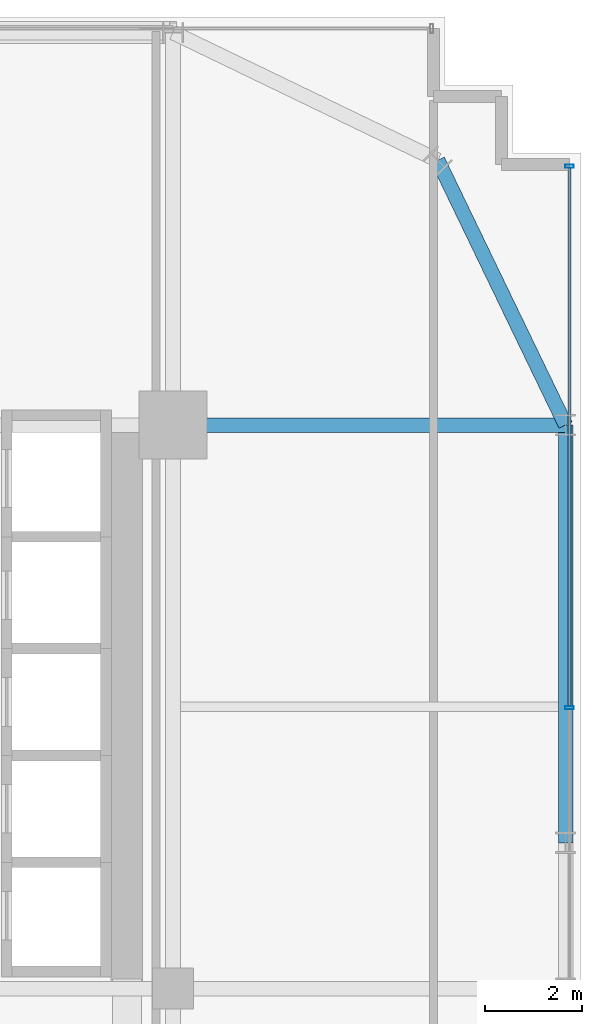
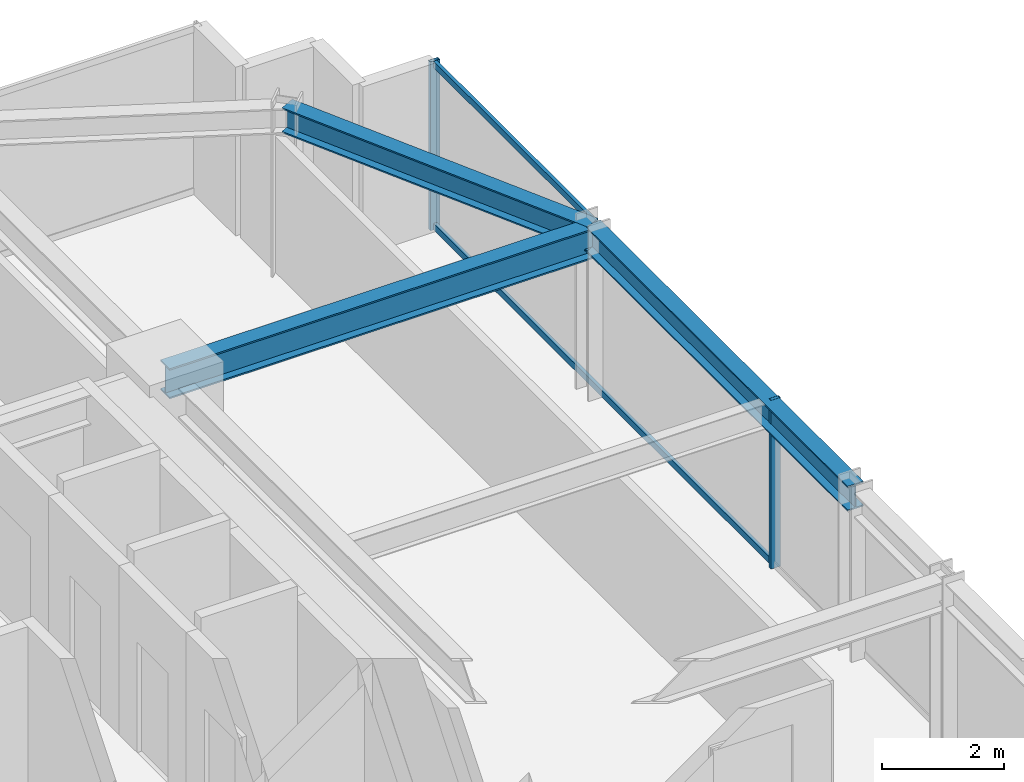
# One storey, part 25 of 36: 4 members, 3 beams, 1 element without a shape of its own.
"""IFC4 building model written with IfcOpenShell, lengths in metres."""

from ifc_helpers import new_model, si_unit, direction, frame, origin, origin_2d, place, context, subcontext, project, spatial, hollow_rectangle, i_section, extrude, source, transform, mapped, material, material_profile, profile_set, type_object, element, aggregate, save


model = new_model("IFC4")

# Units and contexts
model_context = context("Model", 3, precision=1e-05, world=origin(), true_north=direction((0.0, 1.0)))
body_context = subcontext(model_context, "Body", "Model", "MODEL_VIEW")
ifc_project = project(units=[si_unit("LENGTHUNIT", "METRE"), si_unit("AREAUNIT", "SQUARE_METRE"), si_unit("VOLUMEUNIT", "CUBIC_METRE"), si_unit("PLANEANGLEUNIT", "RADIAN"), si_unit("MASSUNIT", "GRAM", prefix="KILO")], contexts=[model_context])

# Site, building, storey
site_placement = place(None, origin())
site = spatial("IfcSite", under=ifc_project, at=site_placement, CompositionType="ELEMENT")
building_placement = place(site_placement, origin())
building = spatial("IfcBuilding", under=site, at=building_placement, Name="Nahalor Promenade Grand Hotel", CompositionType="ELEMENT")
storey_placement = place(building_placement, frame((0.0, 0.0, 76.199951171875)))
storey = spatial("IfcBuildingStorey", under=building, at=storey_placement, Name="L18", CompositionType="ELEMENT", Elevation=76.199951171875)

# Beams
ifc_material_1 = material(Name="Steel S355JR", Category="steel")
ifc_material_profile_1 = material_profile(ifc_material_1, i_section(OverallWidth=0.3, OverallDepth=0.5, WebThickness=0.0145, FlangeThickness=0.028, at=origin_2d()), Name="HEB 500")
ifc_profile_set_1 = profile_set([ifc_material_profile_1], Name="Steel S355JR")
beam_type_1 = type_object("IfcBeamType", Name="Beam-Spandrel-HEB500", PredefinedType="SPANDREL", material=ifc_profile_set_1)
shared_shape_1 = source(origin(), body_context, "Body", "SweptSolid", [
    extrude(i_section(OverallWidth=0.3, OverallDepth=0.5, WebThickness=0.0145, FlangeThickness=0.028, at=origin_2d()), origin(), (0.0, 0.0, 1.0), 8.60009765625),
])
beam_1_placement = place(storey_placement, frame((25.080078125, 8.39990234375, 3.1201171875), z_axis=(0.0, 1.0, 0.0), x_axis=(-1.0, 0.0, 0.0)))
element("IfcBeam", 1, at=beam_1_placement, inside=storey, type_object=beam_type_1, Name="BM-L18-SP-E-4", PredefinedType="SPANDREL", context=body_context, shape_type="MappedRepresentation", body=[
    mapped(shared_shape_1, transform((0.0, 0.0, 0.0), scale=1.0)),
])
ifc_material_profile_2 = material_profile(ifc_material_1, i_section(OverallWidth=0.3, OverallDepth=0.6, WebThickness=0.0155, FlangeThickness=0.03, at=origin_2d()), Name="HEB 600")
ifc_profile_set_2 = profile_set([ifc_material_profile_2], Name="Steel S355JR")
beam_type_2 = type_object("IfcBeamType", Name="Beam-Girder-HEB600", PredefinedType="BEAM", material=ifc_profile_set_2)
shared_shape_2 = source(origin(), body_context, "Body", "SweptSolid", [
    extrude(i_section(OverallWidth=0.3, OverallDepth=0.6, WebThickness=0.0155, FlangeThickness=0.03, at=origin_2d()), origin(), (0.0, 0.0, 1.0), 8.080078125),
])
beam_2_placement = place(storey_placement, frame((17.0, 17.0, 3.070068359375), z_axis=(1.0, 0.0, 0.0), x_axis=(0.0, 1.0, 0.0)))
element("IfcBeam", 2, at=beam_2_placement, inside=storey, type_object=beam_type_2, Name="BM-L18-GX-3-6", PredefinedType="BEAM", context=body_context, shape_type="MappedRepresentation", body=[
    mapped(shared_shape_2, transform((0.0, 0.0, 0.0), scale=1.0)),
])
shared_shape_3 = source(origin(), body_context, "Body", "SweptSolid", [
    extrude(i_section(OverallWidth=0.3, OverallDepth=0.5, WebThickness=0.0145, FlangeThickness=0.028, at=origin_2d()), origin(), (0.0, 0.0, 1.0), 6.051513671875),
])
beam_3_placement = place(storey_placement, frame((22.449951171875, 22.449951171875, 3.1201171875), z_axis=(0.434630596492, -0.900608818852, 0.0), x_axis=(0.900608818852, 0.434630596492, 0.0)))
element("IfcBeam", 3, at=beam_3_placement, inside=storey, type_object=beam_type_1, Name="BM-L18-SPC-NE-2", PredefinedType="SPANDREL", context=body_context, shape_type="MappedRepresentation", body=[
    mapped(shared_shape_3, transform((0.0, 0.0, 0.0), scale=1.0)),
])

# Curtain wall, members
ifc_material_2 = material(Name="Anodised Bronze Aluminium EN AW-6063 T6", Category="aluminium")
curtain_wall_type = type_object("IfcCurtainWallType", Name="CW2 Typical Hotel Flush Bronze Unitised Curtain Wall", PredefinedType="USERDEFINED", material=ifc_material_2)
curtain_wall_placement = place(storey_placement, origin())
curtain_wall = element("IfcCurtainWall", 4, at=curtain_wall_placement, inside=storey, type_object=curtain_wall_type, Name="L18 Curtain Wall CW-L18-E-1", ObjectType="UNITISED_CURTAIN_WALL", PredefinedType="USERDEFINED")
ifc_material_profile_3 = material_profile(ifc_material_2, hollow_rectangle(XDim=0.065, YDim=0.18, WallThickness=0.004, at=origin_2d()), Name="CWM 65x180x4")
ifc_profile_set_3 = profile_set([ifc_material_profile_3], Name="Anodised Bronze Aluminium EN AW-6063 T6")
member_type_1 = type_object("IfcMemberType", Name="CWM2 Typical Bronze Mullion 65x180", PredefinedType="MULLION", material=ifc_profile_set_3)
shared_shape_4 = source(origin(), body_context, "Body", "SweptSolid", [
    extrude(hollow_rectangle(XDim=0.065, YDim=0.18, WallThickness=0.004, at=origin_2d()), origin(), (0.0, 0.0, 1.0), 3.3701171875),
])
member_1_placement = place(storey_placement, frame((25.159912109375, 11.179931640625, 0.0), z_axis=(0.0, 0.0, 1.0), x_axis=(0.0, 1.0, 0.0)))
member_1 = element("IfcMember", 5, at=member_1_placement, type_object=member_type_1, Name="CW-L18-E-1 Mullion 3", PredefinedType="MULLION", context=body_context, shape_type="MappedRepresentation", body=[
    mapped(shared_shape_4, transform((0.0, 0.0, 0.0), scale=1.0)),
])
member_2_placement = place(storey_placement, frame((25.159912109375, 22.327392578125, 0.0), z_axis=(0.0, 0.0, 1.0), x_axis=(0.0, 1.0, 0.0)))
member_2 = element("IfcMember", 6, at=member_2_placement, type_object=member_type_1, Name="CW-L18-E-1 Mullion 4", PredefinedType="MULLION", context=body_context, shape_type="MappedRepresentation", body=[
    mapped(shared_shape_4, transform((0.0, 0.0, 0.0), scale=1.0)),
])
ifc_material_profile_4 = material_profile(ifc_material_2, hollow_rectangle(XDim=0.065, YDim=0.13, WallThickness=0.004, at=origin_2d()), Name="CWT 65x130x4")
ifc_profile_set_4 = profile_set([ifc_material_profile_4], Name="Anodised Bronze Aluminium EN AW-6063 T6")
member_type_2 = type_object("IfcMemberType", Name="CWT2 Typical Bronze Transom 65x130", PredefinedType="USERDEFINED", material=ifc_profile_set_4)
shared_shape_5 = source(origin(), body_context, "Body", "SweptSolid", [
    extrude(hollow_rectangle(XDim=0.065, YDim=0.13, WallThickness=0.004, at=origin_2d()), origin(), (0.0, 0.0, 1.0), 11.08251953125),
])
member_3_placement = place(storey_placement, frame((25.159912109375, 11.21240234375, 0.06494140625), z_axis=(0.0, 1.0, 0.0), x_axis=(-1.0, 0.0, 0.0)))
member_3 = element("IfcMember", 7, at=member_3_placement, type_object=member_type_2, Name="CW-L18-E-1 Transom 3-0", ObjectType="TRANSOM", PredefinedType="USERDEFINED", context=body_context, shape_type="MappedRepresentation", body=[
    mapped(shared_shape_5, transform((0.0, 0.0, 0.0), scale=1.0)),
])
member_4_placement = place(storey_placement, frame((25.159912109375, 11.21240234375, 3.304931640625), z_axis=(0.0, 1.0, 0.0), x_axis=(-1.0, 0.0, 0.0)))
member_4 = element("IfcMember", 8, at=member_4_placement, type_object=member_type_2, Name="CW-L18-E-1 Transom 3-1", ObjectType="TRANSOM", PredefinedType="USERDEFINED", context=body_context, shape_type="MappedRepresentation", body=[
    mapped(shared_shape_5, transform((0.0, 0.0, 0.0), scale=1.0)),
])
aggregate(curtain_wall, [member_1, member_2, member_3, member_4])

save(model, "model.ifc")
